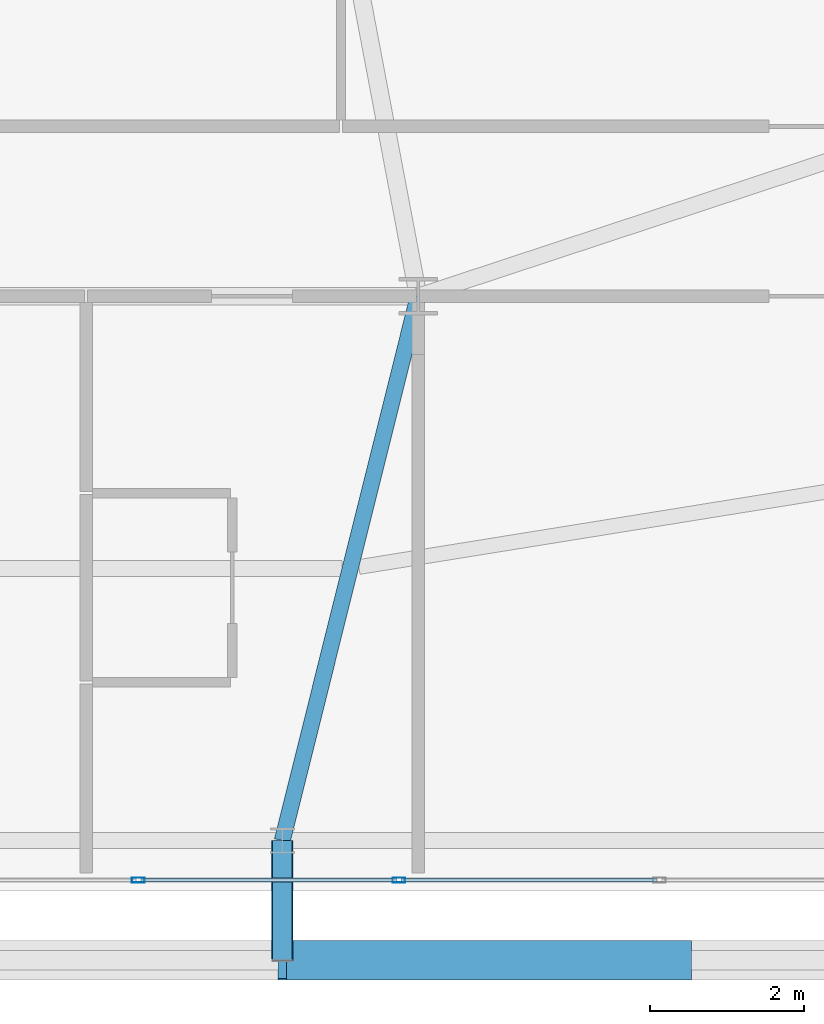
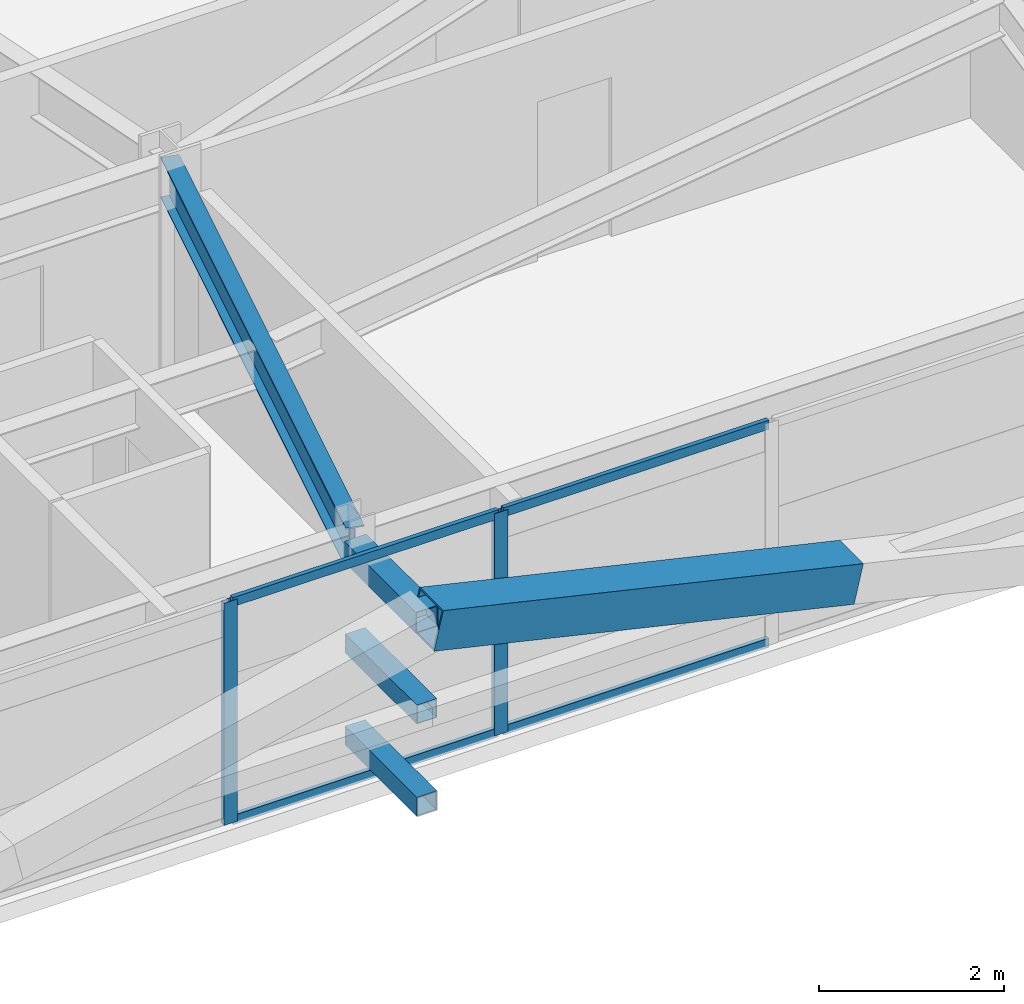
# One storey, part 20 of 59: 10 members, 1 beam, 1 element without a shape of its own.
"""IFC4 building model written with IfcOpenShell, lengths in metres."""

from ifc_helpers import new_model, si_unit, direction, frame, origin, origin_2d, place, context, subcontext, project, spatial, hollow_rectangle, i_section, extrude, source, transform, mapped, material, layer, layer_set, material_profile, profile_set, type_object, element, aggregate, save


model = new_model("IFC4")

# Units and contexts
model_context = context("Model", 3, precision=1e-05, world=origin(), true_north=direction((0.0, 1.0)))
body_context = subcontext(model_context, "Body", "Model", "MODEL_VIEW")
ifc_project = project(units=[si_unit("LENGTHUNIT", "METRE"), si_unit("AREAUNIT", "SQUARE_METRE"), si_unit("VOLUMEUNIT", "CUBIC_METRE"), si_unit("PLANEANGLEUNIT", "RADIAN"), si_unit("MASSUNIT", "GRAM", prefix="KILO")], contexts=[model_context])

# Site, building, storey
site_placement = place(None, origin())
site = spatial("IfcSite", under=ifc_project, at=site_placement, CompositionType="ELEMENT")
building_placement = place(site_placement, origin())
building = spatial("IfcBuilding", under=site, at=building_placement, Name="Taldren Reach Tower", CompositionType="ELEMENT")
storey_placement = place(building_placement, frame((0.0, 0.0, 48.300048828125)))
storey = spatial("IfcBuildingStorey", under=building, at=storey_placement, Name="L14", CompositionType="ELEMENT", Elevation=48.300048828125)

# Beam
ifc_material_1 = material(Name="Steel Gr 350 (350PLUS)", Category="steel")
ifc_material_profile_1 = material_profile(ifc_material_1, i_section(OverallWidth=0.208984375, OverallDepth=0.532958984375, WebThickness=0.01025390625, FlangeThickness=0.015625, at=origin_2d()), Name="530UB92.4")
ifc_profile_set_1 = profile_set([ifc_material_profile_1], Name="Steel Gr 350 (350PLUS)")
beam_type = type_object("IfcBeamType", Name="BM-UB530A", PredefinedType="BEAM", material=ifc_profile_set_1)
shared_shape_1 = source(origin(), body_context, "Body", "SweptSolid", [
    extrude(i_section(OverallWidth=0.208984375, OverallDepth=0.532958984375, WebThickness=0.01025390625, FlangeThickness=0.015625, at=origin_2d()), origin(), (0.0, 0.0, 1.0), 7.266357421875),
])
beam_placement = place(storey_placement, frame((42.0, 9.199951171875, 2.663330078125), z_axis=(-0.24221148493, -0.970223477642, 0.0), x_axis=(0.970223477642, -0.24221148493, 0.0)))
element("IfcBeam", 1, at=beam_placement, inside=storey, type_object=beam_type, Name="Primary floor girder B1-S4 L14", PredefinedType="BEAM", context=body_context, shape_type="MappedRepresentation", body=[
    mapped(shared_shape_1, transform((0.0, 0.0, 0.0), scale=1.0)),
])

# Members
ifc_material_2 = material(Name="Steel Gr 450 (C450L0)", Category="steel")
ifc_material_profile_2 = material_profile(ifc_material_2, hollow_rectangle(XDim=0.27490234375, YDim=0.27490234375, WallThickness=0.00927734375, at=origin_2d()), Name="275x275x9.3SHS")
ifc_profile_set_2 = profile_set([ifc_material_profile_2], Name="Steel Gr 450 (C450L0)")
member_type_1 = type_object("IfcMemberType", Name="MB-TIE273", PredefinedType="STRUT", material=ifc_profile_set_2)
shared_shape_2 = source(origin(), body_context, "Body", "SweptSolid", [
    extrude(hollow_rectangle(XDim=0.27490234375, YDim=0.27490234375, WallThickness=0.00927734375, at=origin_2d()), origin(), (0.0, 0.0, 1.0), 1.5498046875),
])
member_1_placement = place(storey_placement, frame((40.239990234375, 2.14990234375, 2.64990234375), z_axis=(0.0, -1.0, 0.0), x_axis=(1.0, 0.0, 0.0)))
element("IfcMember", 2, at=member_1_placement, inside=storey, type_object=member_type_1, Name="Exoskeleton diaphragm tie strut B1-S4 L14", PredefinedType="STRUT", context=body_context, shape_type="MappedRepresentation", body=[
    mapped(shared_shape_2, transform((0.0, 0.0, 0.0), scale=1.0)),
])
ifc_material_profile_3 = material_profile(ifc_material_2, hollow_rectangle(XDim=0.510009765625, YDim=0.510009765625, WallThickness=0.02001953125, at=origin_2d()), Name="510x510x20.0SHS")
ifc_profile_set_3 = profile_set([ifc_material_profile_3], Name="Steel Gr 450 (C450L0)")
member_type_2 = type_object("IfcMemberType", Name="MB-EXO508", PredefinedType="BRACE", material=ifc_profile_set_3)
shared_shape_3 = source(origin(), body_context, "Body", "SweptSolid", [
    extrude(hollow_rectangle(XDim=0.510009765625, YDim=0.510009765625, WallThickness=0.02001953125, at=origin_2d()), origin(), (0.0, 0.0, 1.0), 5.37890625),
])
member_2_placement = place(storey_placement, frame((45.47998046875, 0.60009765625, 1.43505859375), z_axis=(-0.974161966843, 0.0, 0.225850531007), x_axis=(0.0, -1.0, 0.0)))
element("IfcMember", 3, at=member_2_placement, inside=storey, type_object=member_type_2, Name="Exoskeleton Diagrid Brace B1-S4 L14", PredefinedType="BRACE", context=body_context, shape_type="MappedRepresentation", body=[
    mapped(shared_shape_3, transform((0.0, 0.0, 0.0), scale=1.0)),
])
ifc_material_3 = material(Name="Steel Gr 350 (C350L0)", Category="steel")
ifc_material_profile_4 = material_profile(ifc_material_3, hollow_rectangle(XDim=0.25, YDim=0.25, WallThickness=0.010009765625, at=origin_2d()), Name="250x250x10.0SHS")
ifc_profile_set_4 = profile_set([ifc_material_profile_4], Name="Steel Gr 350 (C350L0)")
member_type_3 = type_object("IfcMemberType", Name="MB-POST250", PredefinedType="POST", material=ifc_profile_set_4)
shared_shape_4 = source(origin(), body_context, "Body", "SweptSolid", [
    extrude(hollow_rectangle(XDim=0.25, YDim=0.25, WallThickness=0.010009765625, at=origin_2d()), origin(), (0.0, 0.0, 1.0), 1.5498046875),
])
for number, where, z_axis, x_axis, name in (
    (4, (40.239990234375, 2.14990234375, 0.219970703125), (0.0, -1.0, 0.0), (1.0, 0.0, 0.0), "Exoskeleton base diaphragm tie strut B1-S4 L14"),
    (5, (40.239990234375, 2.14990234375, 1.43505859375), (0.0, -1.0, 0.0), (1.0, 0.0, 0.0), "Exoskeleton mid-tier diaphragm tie B1-S4 L14"),
):
    element("IfcMember", number, at=place(storey_placement, frame(where, z_axis=z_axis, x_axis=x_axis)), inside=storey, type_object=member_type_3, Name=name, PredefinedType="POST", context=body_context, shape_type="MappedRepresentation", body=[
        mapped(shared_shape_4, transform((0.0, 0.0, 0.0), scale=1.0)),
    ])

# Curtain wall, members
ifc_material_4 = material(Name="Aluminium and Low-E Glass Unitised System", Category="aluminium")
ifc_layer = layer(ifc_material_4, 0.159912109375)
ifc_layer_set = layer_set([ifc_layer], Name="Aluminium and Low-E Glass Unitised System")
curtain_wall_type = type_object("IfcCurtainWallType", Name="CW-SYS-2", PredefinedType="NOTDEFINED", material=ifc_layer_set)
curtain_wall_placement = place(storey_placement, origin())
curtain_wall = element("IfcCurtainWall", 6, at=curtain_wall_placement, inside=storey, type_object=curtain_wall_type, Name="Unitised curtain wall CW-L14-S", PredefinedType="NOTDEFINED")
ifc_material_5 = material(Name="Anodised Aluminium 6063-T6", Category="aluminium")
ifc_material_profile_5 = material_profile(ifc_material_5, hollow_rectangle(XDim=0.06494140625, YDim=0.1650390625, WallThickness=0.00390625, at=origin_2d()), Name="ALU-165x65x4RHS")
ifc_profile_set_5 = profile_set([ifc_material_profile_5], Name="Anodised Aluminium 6063-T6")
member_type_4 = type_object("IfcMemberType", Name="CW-MUL-165", PredefinedType="MULLION", material=ifc_profile_set_5)
shared_shape_5 = source(origin(), body_context, "Body", "SweptSolid", [
    extrude(hollow_rectangle(XDim=0.06494140625, YDim=0.1650390625, WallThickness=0.00390625, at=origin_2d()), origin(), (0.0, 0.0, 1.0), 2.929931640625),
])
member_3_placement = place(storey_placement, frame((38.375, 1.639892578125, 0.0), z_axis=(0.0, 0.0, 1.0), x_axis=(0.0, 1.0, 0.0)))
member_3 = element("IfcMember", 7, at=member_3_placement, type_object=member_type_4, Name="CW-2 mullion 10", PredefinedType="MULLION", context=body_context, shape_type="MappedRepresentation", body=[
    mapped(shared_shape_5, transform((0.0, 0.0, 0.0), scale=1.0)),
])
member_4_placement = place(storey_placement, frame((41.75, 1.639892578125, 0.0), z_axis=(0.0, 0.0, 1.0), x_axis=(0.0, 1.0, 0.0)))
member_4 = element("IfcMember", 8, at=member_4_placement, type_object=member_type_4, Name="CW-2 mullion 11", PredefinedType="MULLION", context=body_context, shape_type="MappedRepresentation", body=[
    mapped(shared_shape_5, transform((0.0, 0.0, 0.0), scale=1.0)),
])
ifc_material_profile_6 = material_profile(ifc_material_5, hollow_rectangle(XDim=0.054931640625, YDim=0.1201171875, WallThickness=0.0029296875, at=origin_2d()), Name="ALU-120x55x3RHS")
ifc_profile_set_6 = profile_set([ifc_material_profile_6], Name="Anodised Aluminium 6063-T6")
member_type_5 = type_object("IfcMemberType", Name="CW-TRN-135", PredefinedType="USERDEFINED", material=ifc_profile_set_6)
shared_shape_6 = source(origin(), body_context, "Body", "SweptSolid", [
    extrude(hollow_rectangle(XDim=0.054931640625, YDim=0.1201171875, WallThickness=0.0029296875, at=origin_2d()), origin(), (0.0, 0.0, 1.0), 3.31005859375),
])
member_5_placement = place(storey_placement, frame((38.407470703125, 1.639892578125, 0.02734375), z_axis=(1.0, 0.0, 0.0), x_axis=(0.0, 1.0, 0.0)))
member_5 = element("IfcMember", 9, at=member_5_placement, type_object=member_type_5, Name="CW-2 transom 10.1", ObjectType="TRANSOM", PredefinedType="USERDEFINED", context=body_context, shape_type="MappedRepresentation", body=[
    mapped(shared_shape_6, transform((0.0, 0.0, 0.0), scale=1.0)),
])
member_6_placement = place(storey_placement, frame((38.407470703125, 1.639892578125, 2.90234375), z_axis=(1.0, 0.0, 0.0), x_axis=(0.0, 1.0, 0.0)))
member_6 = element("IfcMember", 10, at=member_6_placement, type_object=member_type_5, Name="CW-2 transom 10.2", ObjectType="TRANSOM", PredefinedType="USERDEFINED", context=body_context, shape_type="MappedRepresentation", body=[
    mapped(shared_shape_6, transform((0.0, 0.0, 0.0), scale=1.0)),
])
member_7_placement = place(storey_placement, frame((41.782470703125, 1.639892578125, 0.02734375), z_axis=(1.0, 0.0, 0.0), x_axis=(0.0, 1.0, 0.0)))
member_7 = element("IfcMember", 11, at=member_7_placement, type_object=member_type_5, Name="CW-2 transom 11.1", ObjectType="TRANSOM", PredefinedType="USERDEFINED", context=body_context, shape_type="MappedRepresentation", body=[
    mapped(shared_shape_6, transform((0.0, 0.0, 0.0), scale=1.0)),
])
member_8_placement = place(storey_placement, frame((41.782470703125, 1.639892578125, 2.90234375), z_axis=(1.0, 0.0, 0.0), x_axis=(0.0, 1.0, 0.0)))
member_8 = element("IfcMember", 12, at=member_8_placement, type_object=member_type_5, Name="CW-2 transom 11.2", ObjectType="TRANSOM", PredefinedType="USERDEFINED", context=body_context, shape_type="MappedRepresentation", body=[
    mapped(shared_shape_6, transform((0.0, 0.0, 0.0), scale=1.0)),
])
aggregate(curtain_wall, [member_3, member_4, member_5, member_6, member_7, member_8])

save(model, "model.ifc")
